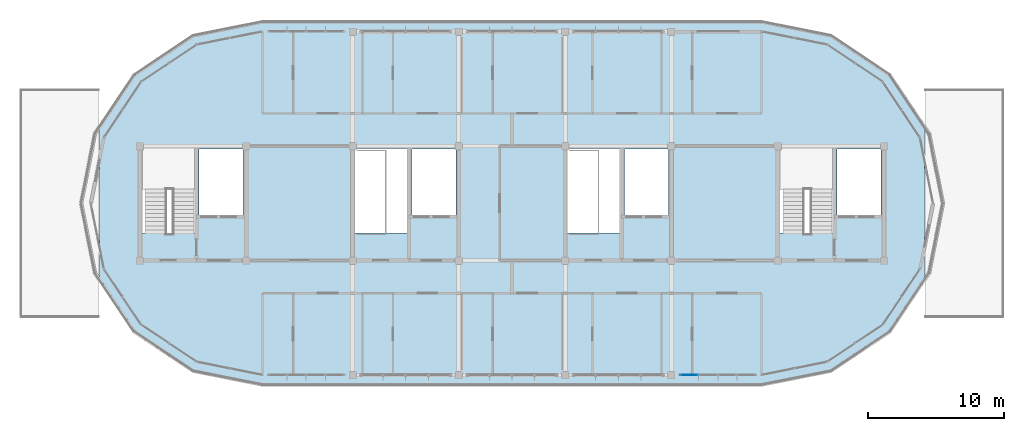
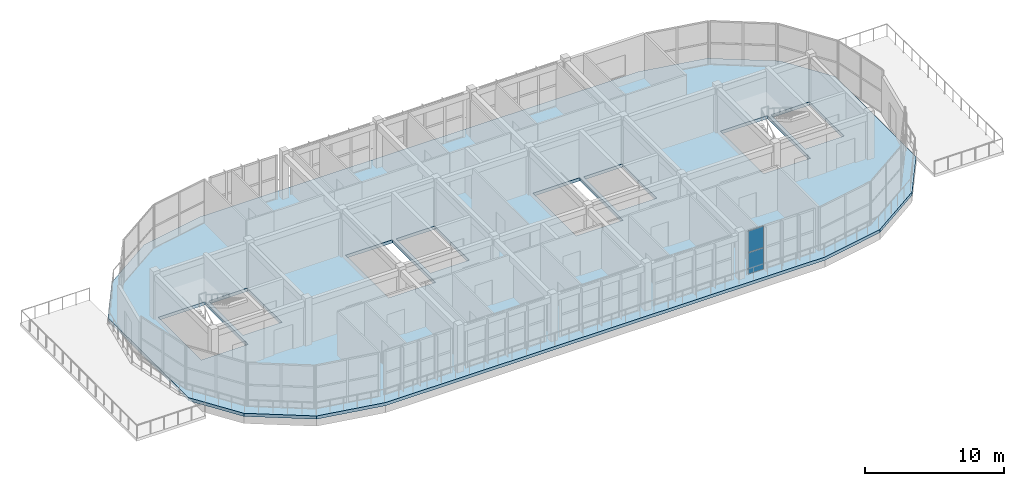
# One storey, part 25 of 33: 2 plates, 1 slab, 1 element without a shape of its own.
"""IFC4 building model written with IfcOpenShell, lengths in metres."""

from ifc_helpers import new_model, si_unit, direction, frame, origin, origin_2d, place, context, subcontext, project, spatial, polyline, rectangle, outline, extrude, material, layer, layer_set, type_object, element, aggregate, save


model = new_model("IFC4")

# Units and contexts
model_context = context("Model", 3, precision=1e-05, world=origin(), true_north=direction((0.0, 1.0)))
body_context = subcontext(model_context, "Body", "Model", "MODEL_VIEW")
ifc_project = project(units=[si_unit("LENGTHUNIT", "METRE"), si_unit("AREAUNIT", "SQUARE_METRE"), si_unit("VOLUMEUNIT", "CUBIC_METRE"), si_unit("PLANEANGLEUNIT", "RADIAN"), si_unit("MASSUNIT", "GRAM", prefix="KILO")], contexts=[model_context])

# Site, building, storey
site_placement = place(None, origin())
site = spatial("IfcSite", under=ifc_project, at=site_placement, CompositionType="ELEMENT")
building_placement = place(site_placement, origin())
building = spatial("IfcBuilding", under=site, at=building_placement, Name="Zizhar Promenade General Hospital", CompositionType="ELEMENT")
storey_placement = place(building_placement, frame((0.0, 0.0, 39.0)))
storey = spatial("IfcBuildingStorey", under=building, at=storey_placement, Name="L09", CompositionType="ELEMENT", Elevation=39.0)

# Curtain wall, plates
ifc_material_1 = material(Name="Anodised aluminium 6063-T6 and low-E glass", Category="aluminium")
ifc_layer_1 = layer(ifc_material_1, 0.159912109375)
ifc_layer_set_1 = layer_set([ifc_layer_1], Name="Anodised aluminium 6063-T6 and low-E glass")
curtain_wall_type = type_object("IfcCurtainWallType", Name="CW-WARD-RIB", PredefinedType="NOTDEFINED", material=ifc_layer_set_1)
curtain_wall_placement = place(storey_placement, origin())
curtain_wall = element("IfcCurtainWall", 1, at=curtain_wall_placement, inside=storey, type_object=curtain_wall_type, Name="Ward Ribbon Curtain Wall L09-17-0", PredefinedType="NOTDEFINED")
ifc_material_2 = material(Name="Low-E solar-control glass", Category="glass")
ifc_layer_2 = layer(ifc_material_2, 0.031982421875)
ifc_layer_set_2 = layer_set([ifc_layer_2], Name="Low-E solar-control glass")
plate_type = type_object("IfcPlateType", Name="CWP-GLZ-32", PredefinedType="CURTAIN_PANEL", material=ifc_layer_set_2)
plate_1_placement = place(storey_placement, frame((87.10498046875, 0.0, 0.06005859375), z_axis=(0.0, 0.0, 1.0), x_axis=(-1.0, 0.0, 0.0)))
plate_1 = element("IfcPlate", 2, at=plate_1_placement, type_object=plate_type, Name="CW-13 panel 4.1", PredefinedType="CURTAIN_PANEL", context=body_context, shape_type="SweptSolid", body=[
    extrude(rectangle(XDim=1.2900390625, YDim=0.031982421875, at=origin_2d()), origin(), (0.0, 0.0, 1.0), 1.860107421875),
])
plate_2_placement = place(storey_placement, frame((87.10498046875, 0.0, 1.97998046875), z_axis=(0.0, 0.0, 1.0), x_axis=(-1.0, 0.0, 0.0)))
plate_2 = element("IfcPlate", 3, at=plate_2_placement, type_object=plate_type, Name="CW-13 panel 4.2", PredefinedType="CURTAIN_PANEL", context=body_context, shape_type="SweptSolid", body=[
    extrude(rectangle(XDim=1.2900390625, YDim=0.031982421875, at=origin_2d()), origin(), (0.0, 0.0, 1.0), 1.860107421875),
])
aggregate(curtain_wall, [plate_1, plate_2])

# Slab
ifc_material_3 = material(Name="Concrete C35/45", Category="concrete")
ifc_layer_3 = layer(ifc_material_3, 0.280029296875)
ifc_layer_set_3 = layer_set([ifc_layer_3], Name="Concrete C35/45")
slab_type = type_object("IfcSlabType", Name="SLB-FLR-280", PredefinedType="FLOOR", material=ifc_layer_set_3)
slab_placement = place(storey_placement, frame((0.0, 0.0, -0.280029296875)))
element("IfcSlab", 4, at=slab_placement, inside=storey, type_object=slab_type, Name="Level L09 Inpatient Ward Pillow Floor Slab", PredefinedType="FLOOR", context=body_context, shape_type="SweptSolid", body=[
    extrude(outline(polyline([(50.65283203125, 25.026123046875), (55.800048828125, 26.050048828125), (92.39990234375, 26.050048828125), (97.547119140625, 25.026123046875), (101.91064453125, 22.110595703125), (104.3798828125, 18.414794921875), (104.3798828125, 6.78515625), (101.91064453125, 3.08935546875), (97.547119140625, 0.173828125), (92.39990234375, -0.85009765625), (55.800048828125, -0.85009765625), (50.65283203125, 0.173828125), (46.289306640625, 3.08935546875), (43.820068359375, 6.78515625), (43.820068359375, 18.414794921875), (46.289306640625, 22.110595703125), (50.65283203125, 25.026123046875)]), holes=[polyline([(46.97998046875, 10.429931640625), (46.97998046875, 16.6201171875), (50.8798828125, 16.6201171875), (50.8798828125, 10.429931640625), (46.97998046875, 10.429931640625)]), polyline([(51.14990234375, 11.6201171875), (51.14990234375, 16.580078125), (54.3798828125, 16.580078125), (54.3798828125, 11.6201171875), (51.14990234375, 11.6201171875)]), polyline([(62.580078125, 10.429931640625), (62.580078125, 16.6201171875), (66.47998046875, 16.6201171875), (66.47998046875, 10.429931640625), (62.580078125, 10.429931640625)]), polyline([(66.75, 11.6201171875), (66.75, 16.580078125), (69.97998046875, 16.580078125), (69.97998046875, 11.6201171875), (66.75, 11.6201171875)]), polyline([(78.179931640625, 10.429931640625), (78.179931640625, 16.6201171875), (82.080078125, 16.6201171875), (82.080078125, 10.429931640625), (78.179931640625, 10.429931640625)]), polyline([(82.35009765625, 11.6201171875), (82.35009765625, 16.580078125), (85.580078125, 16.580078125), (85.580078125, 11.6201171875), (82.35009765625, 11.6201171875)]), polyline([(93.780029296875, 10.429931640625), (93.780029296875, 16.6201171875), (97.679931640625, 16.6201171875), (97.679931640625, 10.429931640625), (93.780029296875, 10.429931640625)]), polyline([(97.949951171875, 11.6201171875), (97.949951171875, 16.580078125), (101.179931640625, 16.580078125), (101.179931640625, 11.6201171875), (97.949951171875, 11.6201171875)])]), origin(), (0.0, 0.0, 1.0), 0.280029296875),
])

save(model, "model.ifc")
